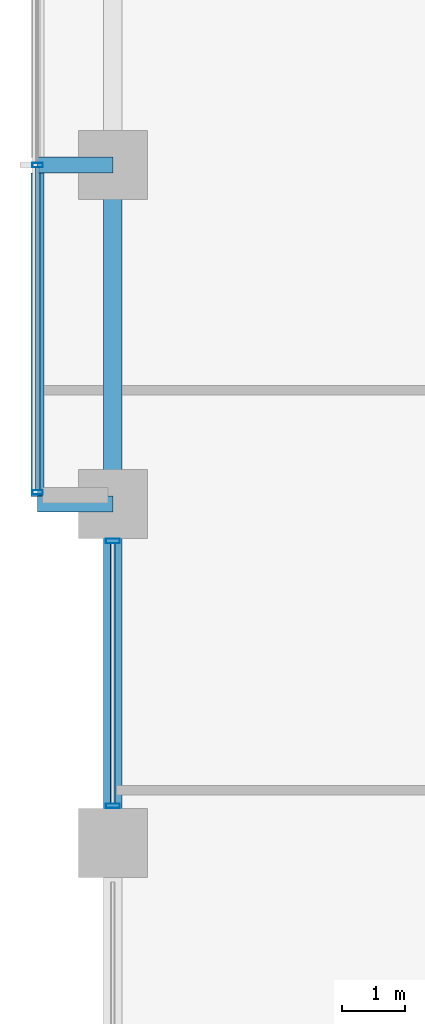
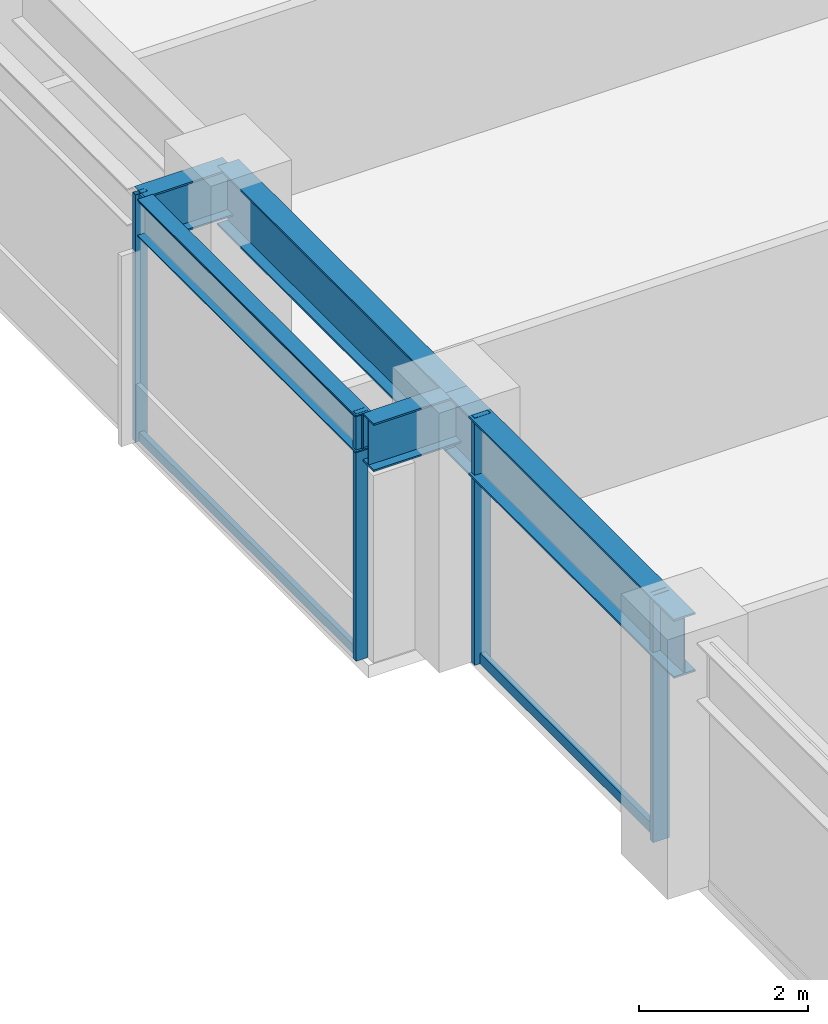
# One storey, part 6 of 25: 7 members, 5 beams, 2 elements without a shape of their own.
"""IFC4 building model written with IfcOpenShell, lengths in metres."""

from ifc_helpers import new_model, si_unit, direction, frame, origin, origin_2d, place, context, subcontext, project, spatial, hollow_rectangle, i_section, extrude, material, layer, layer_set, material_profile, profile_set, type_object, element, aggregate, save


model = new_model("IFC4")

# Units and contexts
model_context = context("Model", 3, precision=1e-05, world=origin(), true_north=direction((0.0, 1.0)))
body_context = subcontext(model_context, "Body", "Model", "MODEL_VIEW")
ifc_project = project(units=[si_unit("LENGTHUNIT", "METRE"), si_unit("AREAUNIT", "SQUARE_METRE"), si_unit("VOLUMEUNIT", "CUBIC_METRE"), si_unit("PLANEANGLEUNIT", "RADIAN"), si_unit("MASSUNIT", "GRAM", prefix="KILO")], contexts=[model_context])

# Site, building, storey
site_placement = place(None, origin())
site = spatial("IfcSite", under=ifc_project, at=site_placement, CompositionType="ELEMENT")
building_placement = place(site_placement, origin())
building = spatial("IfcBuilding", under=site, at=building_placement, Name="Surkhivell Harbour Commons", CompositionType="ELEMENT")
storey_placement = place(building_placement, frame((0.0, 0.0, 98.25)))
storey = spatial("IfcBuildingStorey", under=building, at=storey_placement, Name="L25", CompositionType="ELEMENT", Elevation=98.25)

# Beams
ifc_material_1 = material(Name="Steel S460", Category="steel")
ifc_material_profile_1 = material_profile(ifc_material_1, i_section(OverallWidth=0.256103515625, OverallDepth=0.693115234375, WebThickness=0.014404296875, FlangeThickness=0.023681640625, at=origin_2d()), Name="UB686x254x170")
ifc_profile_set_1 = profile_set([ifc_material_profile_1], Name="Steel S460")
beam_type_1 = type_object("IfcBeamType", Name="BM-CNT-686", PredefinedType="BEAM", material=ifc_profile_set_1)
for number, where, z_axis, x_axis, name in (
    (1, (-32.39990234375, 0.0, 3.223388671875), (-1.0, 0.0, 0.0), (0.0, -1.0, 0.0), "L25 Box Cantilever Outrigger (-32.4,0.0)"),
    (2, (-32.39990234375, 5.39990234375, 3.223388671875), (-1.0, 0.0, 0.0), (0.0, -1.0, 0.0), "L25 Box Cantilever Outrigger (-32.4,5.4)"),
):
    element("IfcBeam", number, at=place(storey_placement, frame(where, z_axis=z_axis, x_axis=x_axis)), inside=storey, type_object=beam_type_1, Name=name, PredefinedType="BEAM", context=body_context, shape_type="SweptSolid", body=[
        extrude(i_section(OverallWidth=0.256103515625, OverallDepth=0.693115234375, WebThickness=0.014404296875, FlangeThickness=0.023681640625, at=origin_2d()), origin(), (0.0, 0.0, 1.0), 1.2001953125),
    ])
ifc_material_2 = material(Name="Steel S355", Category="steel")
ifc_material_profile_2 = material_profile(ifc_material_2, i_section(OverallWidth=0.2099609375, OverallDepth=0.537109375, WebThickness=0.0107421875, FlangeThickness=0.017333984375, at=origin_2d()), Name="UB533x210x101")
ifc_profile_set_2 = profile_set([ifc_material_profile_2], Name="Steel S355")
beam_type_2 = type_object("IfcBeamType", Name="BM-GRD-533B", PredefinedType="BEAM", material=ifc_profile_set_2)
beam_placement = place(storey_placement, frame((-33.60009765625, 0.1220703125, 3.301513671875), z_axis=(0.0, 1.0, 0.0), x_axis=(-1.0, 0.0, 0.0)))
element("IfcBeam", 3, at=beam_placement, inside=storey, type_object=beam_type_2, Name="L25 Box Rim Spandrel (-33.6,0.0)", PredefinedType="BEAM", context=body_context, shape_type="SweptSolid", body=[
    extrude(i_section(OverallWidth=0.2099609375, OverallDepth=0.537109375, WebThickness=0.0107421875, FlangeThickness=0.017333984375, at=origin_2d()), origin(), (0.0, 0.0, 1.0), 5.156005859375),
])
ifc_material_profile_3 = material_profile(ifc_material_1, i_section(OverallWidth=0.2939453125, OverallDepth=0.85107421875, WebThickness=0.01611328125, FlangeThickness=0.02685546875, at=origin_2d()), Name="UB838x292x226")
ifc_profile_set_3 = profile_set([ifc_material_profile_3], Name="Steel S460")
beam_type_3 = type_object("IfcBeamType", Name="BM-SPN-838", PredefinedType="SPANDREL", material=ifc_profile_set_3)
for number, where, z_axis, x_axis, name in (
    (4, (-32.39990234375, -5.39990234375, 3.14453125), (0.0, 1.0, 0.0), (-1.0, 0.0, 0.0), "L25 Tube Spandrel (-32.4,-5.4)"),
    (5, (-32.39990234375, 0.0, 3.14453125), (0.0, 1.0, 0.0), (-1.0, 0.0, 0.0), "L25 Tube Spandrel (-32.4,0.0)"),
):
    element("IfcBeam", number, at=place(storey_placement, frame(where, z_axis=z_axis, x_axis=x_axis)), inside=storey, type_object=beam_type_3, Name=name, PredefinedType="SPANDREL", context=body_context, shape_type="SweptSolid", body=[
        extrude(i_section(OverallWidth=0.2939453125, OverallDepth=0.85107421875, WebThickness=0.01611328125, FlangeThickness=0.02685546875, at=origin_2d()), origin(), (0.0, 0.0, 1.0), 5.39990234375),
    ])

# Curtain wall, members
ifc_material_3 = material(Name="Anodised pale-metal aluminium and insulated glazing", Category="aluminium")
ifc_layer_1 = layer(ifc_material_3, 0.1650390625)
ifc_layer_set_1 = layer_set([ifc_layer_1], Name="Anodised pale-metal aluminium and insulated glazing")
curtain_wall_type_1 = type_object("IfcCurtainWallType", Name="CW-SYS-BOX", PredefinedType="NOTDEFINED", material=ifc_layer_set_1)
curtain_wall_1_placement = place(storey_placement, origin())
curtain_wall_1 = element("IfcCurtainWall", 6, at=curtain_wall_1_placement, inside=storey, type_object=curtain_wall_type_1, Name="L25 Curtain Wall CW-L25-BOX02", PredefinedType="NOTDEFINED")
ifc_material_4 = material(Name="Champagne anodised aluminium alloy 6063-T6", Category="aluminium")
ifc_material_profile_4 = material_profile(ifc_material_4, hollow_rectangle(XDim=0.070068359375, YDim=0.1650390625, WallThickness=0.00341796875, at=origin_2d()), Name="ALU-MULL-70x165")
ifc_profile_set_4 = profile_set([ifc_material_profile_4], Name="Champagne anodised aluminium alloy 6063-T6")
member_type_1 = type_object("IfcMemberType", Name="CWM-165", PredefinedType="MULLION", material=ifc_profile_set_4)
member_1_placement = place(storey_placement, frame((-33.60009765625, 0.18505859375, 0.0), z_axis=(0.0, 0.0, 1.0), x_axis=(0.0, 1.0, 0.0)))
member_1 = element("IfcMember", 7, at=member_1_placement, type_object=member_type_1, Name="CW-BOX mullion 1", PredefinedType="MULLION", context=body_context, shape_type="SweptSolid", body=[
    extrude(hollow_rectangle(XDim=0.070068359375, YDim=0.1650390625, WallThickness=0.00341796875, at=origin_2d()), origin(), (0.0, 0.0, 1.0), 3.570068359375),
])
member_2_placement = place(storey_placement, frame((-33.60009765625, 5.39990234375, 0.0), z_axis=(0.0, 0.0, 1.0), x_axis=(0.0, 1.0, 0.0)))
member_2 = element("IfcMember", 8, at=member_2_placement, type_object=member_type_1, Name="CW-BOX mullion 2", PredefinedType="MULLION", context=body_context, shape_type="SweptSolid", body=[
    extrude(hollow_rectangle(XDim=0.070068359375, YDim=0.1650390625, WallThickness=0.00341796875, at=origin_2d()), origin(), (0.0, 0.0, 1.0), 3.570068359375),
])

ifc_layer_2 = layer(ifc_material_3, 0.205078125)
ifc_layer_set_2 = layer_set([ifc_layer_2], Name="Anodised pale-metal aluminium and insulated glazing")
curtain_wall_type_2 = type_object("IfcCurtainWallType", Name="CW-SYS-Z2", PredefinedType="NOTDEFINED", material=ifc_layer_set_2)
curtain_wall_2_placement = place(storey_placement, origin())
curtain_wall_2 = element("IfcCurtainWall", 9, at=curtain_wall_2_placement, inside=storey, type_object=curtain_wall_type_2, Name="L25 Curtain Wall CW-L25-E12R1S2", PredefinedType="NOTDEFINED")
ifc_material_5 = material(Name="Anodised pale-metal aluminium alloy 6063-T6", Category="aluminium")
ifc_material_profile_5 = material_profile(ifc_material_5, hollow_rectangle(XDim=0.074951171875, YDim=0.219970703125, WallThickness=0.00390625, at=origin_2d()), Name="ALU-MULL-75x220")
ifc_profile_set_5 = profile_set([ifc_material_profile_5], Name="Anodised pale-metal aluminium alloy 6063-T6")
member_type_2 = type_object("IfcMemberType", Name="CWM-220", PredefinedType="MULLION", material=ifc_profile_set_5)
member_3_placement = place(storey_placement, frame((-32.39990234375, -4.810546875, 0.0), z_axis=(0.0, 0.0, 1.0), x_axis=(0.0, 1.0, 0.0)))
member_3 = element("IfcMember", 10, at=member_3_placement, type_object=member_type_2, Name="CW-Z2 mullion 2", PredefinedType="MULLION", context=body_context, shape_type="SweptSolid", body=[
    extrude(hollow_rectangle(XDim=0.074951171875, YDim=0.219970703125, WallThickness=0.00390625, at=origin_2d()), origin(), (0.0, 0.0, 1.0), 3.570068359375),
])
member_4_placement = place(storey_placement, frame((-32.39990234375, -0.589599609375, 0.0), z_axis=(0.0, 0.0, 1.0), x_axis=(0.0, 1.0, 0.0)))
member_4 = element("IfcMember", 11, at=member_4_placement, type_object=member_type_2, Name="CW-Z2 mullion 3", PredefinedType="MULLION", context=body_context, shape_type="SweptSolid", body=[
    extrude(hollow_rectangle(XDim=0.074951171875, YDim=0.219970703125, WallThickness=0.00390625, at=origin_2d()), origin(), (0.0, 0.0, 1.0), 3.570068359375),
])

# Member
ifc_material_profile_6 = material_profile(ifc_material_4, hollow_rectangle(XDim=0.070068359375, YDim=0.1298828125, WallThickness=0.00341796875, at=origin_2d()), Name="ALU-TRAN-70x130")
ifc_profile_set_6 = profile_set([ifc_material_profile_6], Name="Champagne anodised aluminium alloy 6063-T6")
member_type_3 = type_object("IfcMemberType", Name="CWT-130", PredefinedType="USERDEFINED", material=ifc_profile_set_6)
member_5_placement = place(storey_placement, frame((-33.60009765625, 0.219970703125, 0.06494140625), z_axis=(0.0, 1.0, 0.0), x_axis=(-1.0, 0.0, 0.0)))
member_5 = element("IfcMember", 12, at=member_5_placement, type_object=member_type_3, Name="CW-BOX transom 1.1", ObjectType="TRANSOM", PredefinedType="USERDEFINED", context=body_context, shape_type="SweptSolid", body=[
    extrude(hollow_rectangle(XDim=0.070068359375, YDim=0.1298828125, WallThickness=0.00341796875, at=origin_2d()), origin(), (0.0, 0.0, 1.0), 5.14501953125),
])

member_6_placement = place(storey_placement, frame((-33.60009765625, 0.219970703125, 3.5048828125), z_axis=(0.0, 1.0, 0.0), x_axis=(-1.0, 0.0, 0.0)))
member_6 = element("IfcMember", 13, at=member_6_placement, type_object=member_type_3, Name="CW-BOX transom 1.2", ObjectType="TRANSOM", PredefinedType="USERDEFINED", context=body_context, shape_type="SweptSolid", body=[
    extrude(hollow_rectangle(XDim=0.070068359375, YDim=0.1298828125, WallThickness=0.00341796875, at=origin_2d()), origin(), (0.0, 0.0, 1.0), 5.14501953125),
])

aggregate(curtain_wall_1, [member_1, member_2, member_5, member_6])

ifc_material_profile_7 = material_profile(ifc_material_5, hollow_rectangle(XDim=0.074951171875, YDim=0.14990234375, WallThickness=0.00341796875, at=origin_2d()), Name="ALU-TRAN-75x150")
ifc_profile_set_7 = profile_set([ifc_material_profile_7], Name="Anodised pale-metal aluminium alloy 6063-T6")
member_type_4 = type_object("IfcMemberType", Name="CWT-150", PredefinedType="USERDEFINED", material=ifc_profile_set_7)
member_7_placement = place(storey_placement, frame((-32.39990234375, -4.77294921875, 0.074951171875), z_axis=(0.0, 1.0, 0.0), x_axis=(-1.0, 0.0, 0.0)))
member_7 = element("IfcMember", 14, at=member_7_placement, type_object=member_type_4, Name="CW-Z2 transom 2.1", ObjectType="TRANSOM", PredefinedType="USERDEFINED", context=body_context, shape_type="SweptSolid", body=[
    extrude(hollow_rectangle(XDim=0.074951171875, YDim=0.14990234375, WallThickness=0.00341796875, at=origin_2d()), origin(), (0.0, 0.0, 1.0), 4.14599609375),
])

aggregate(curtain_wall_2, [member_3, member_4, member_7])

save(model, "model.ifc")
